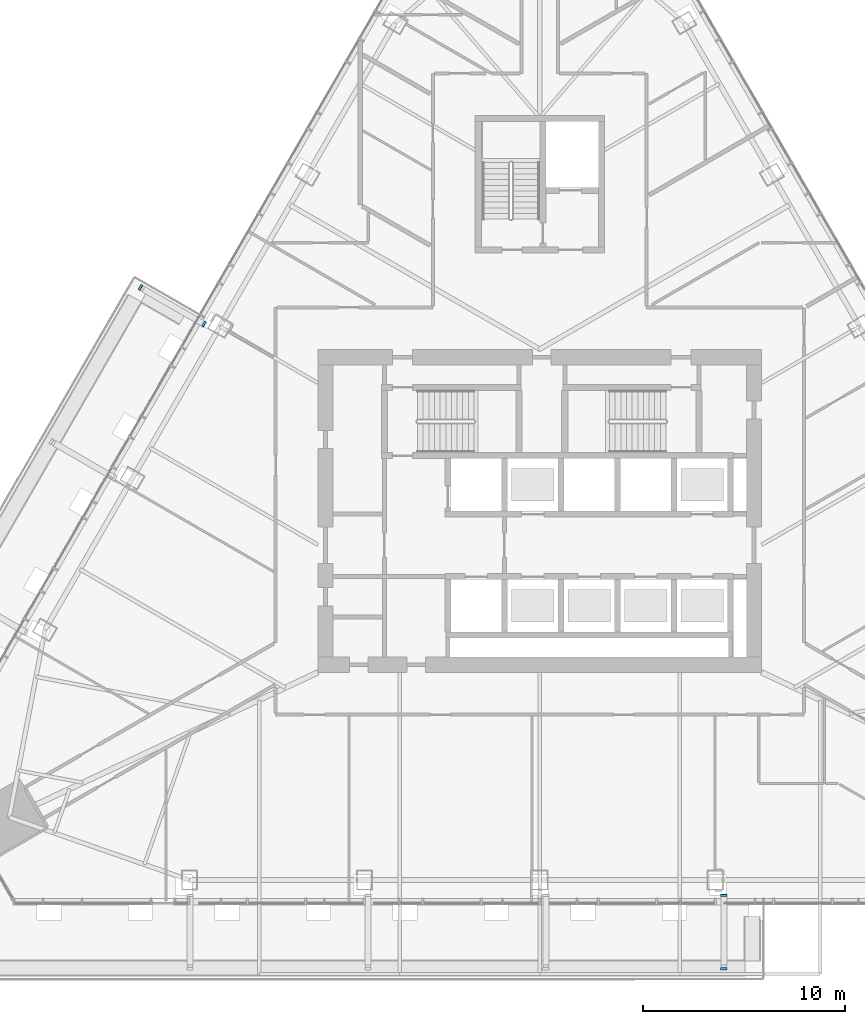
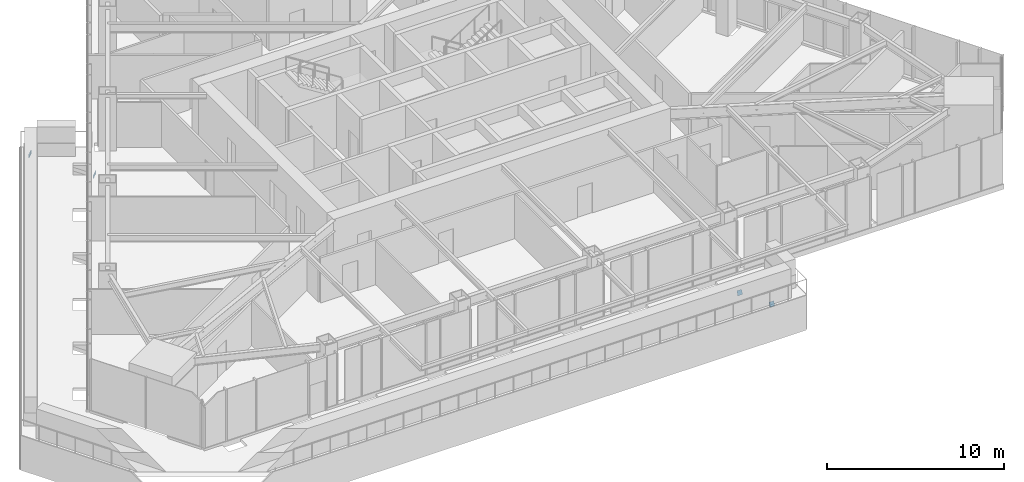
# One storey, part 20 of 23: 4 discrete accessories.
"""IFC4 building model written with IfcOpenShell, lengths in metres."""

from ifc_helpers import new_model, si_unit, direction, frame, origin, place, context, subcontext, project, spatial, polyline, outline, extrude, material, layer, layer_set, type_object, element, save


model = new_model("IFC4")

# Units and contexts
model_context = context("Model", 3, precision=1e-05, world=origin(), true_north=direction((0.0, 1.0)))
body_context = subcontext(model_context, "Body", "Model", "MODEL_VIEW")
ifc_project = project(units=[si_unit("LENGTHUNIT", "METRE"), si_unit("AREAUNIT", "SQUARE_METRE"), si_unit("VOLUMEUNIT", "CUBIC_METRE"), si_unit("PLANEANGLEUNIT", "RADIAN"), si_unit("MASSUNIT", "GRAM", prefix="KILO")], contexts=[model_context])

# Site, building, storey
site_placement = place(None, origin())
site = spatial("IfcSite", under=ifc_project, at=site_placement, CompositionType="ELEMENT")
building_placement = place(site_placement, origin())
building = spatial("IfcBuilding", under=site, at=building_placement, Name="Firuza Gate Tower and Library", CompositionType="ELEMENT")
storey_placement = place(building_placement, frame((0.0, 0.0, 190.89990234375)))
storey = spatial("IfcBuildingStorey", under=building, at=storey_placement, Name="L44", CompositionType="ELEMENT", Elevation=190.89990234375)

# Discrete accessories
ifc_material = material(Name="Steel S355", Category="steel")
ifc_layer = layer(ifc_material, 0.02001953125)
ifc_layer_set = layer_set([ifc_layer], Name="Strut seat plate 304x304x20 Steel S355")
discrete_accessory_type = type_object("IfcDiscreteAccessoryType", Name="Strut seat plate 304x304x20 Steel S355", PredefinedType="BRACKET", material=ifc_layer_set)
discrete_accessory_1_placement = place(storey_placement, frame((84.27587890625, 55.99853515625, -1.535400390625), z_axis=(0.0, -0.931869039224, 0.362794836976), x_axis=(-1.0, 0.0, 0.0)))
element("IfcDiscreteAccessory", 1, at=discrete_accessory_1_placement, inside=storey, type_object=discrete_accessory_type, Name="Strut seat plate L44 col:L43:S4", PredefinedType="BRACKET", context=body_context, shape_type="SweptSolid", body=[
    extrude(outline(polyline([(0.0, 0.0), (0.303955078125, 0.0), (0.303955078125, 0.30417070821576603), (0.0, 0.30417070821576603), (0.0, 0.0)])), origin(), (0.0, 0.0, -1.0), 0.02001953125),
])
discrete_accessory_2_placement = place(storey_placement, frame((83.971923828125, 52.361083984375, -0.12109375), z_axis=(0.0, -0.932034825678, 0.362368712397), x_axis=(1.0, 0.0, 0.0)))
element("IfcDiscreteAccessory", 2, at=discrete_accessory_2_placement, inside=storey, type_object=discrete_accessory_type, Name="Strut seat plate L44 col:L43:S4", PredefinedType="BRACKET", context=body_context, shape_type="SweptSolid", body=[
    extrude(outline(polyline([(0.0, 0.0), (0.303955078125, 0.0), (0.303955078125, -0.30385465993090327), (0.0, -0.30385465993090327), (0.0, 0.0)])), origin(), (0.0, 0.0, -1.0), 0.02001953125),
])
discrete_accessory_3_placement = place(storey_placement, frame((58.318115234375, 84.109375, -1.535400390625), z_axis=(-0.807065000242, 0.466204446129, 0.362352728421), x_axis=(0.500220173323, 0.865898246677, 6.7839443e-05)))
element("IfcDiscreteAccessory", 3, at=discrete_accessory_3_placement, inside=storey, type_object=discrete_accessory_type, Name="Strut seat plate L44 col:L43:W3", PredefinedType="BRACKET", context=body_context, shape_type="SweptSolid", body=[
    extrude(outline(polyline([(0.0, 0.0), (0.30397350534623263, 1.3877787807814457e-17), (0.3039803789758316, 0.30413670222250444), (-0.00020452730953123105, 0.30409243686716886), (0.0, 0.0)])), origin(), (0.0, 0.0, -1.0), 0.02001953125),
])
discrete_accessory_4_placement = place(storey_placement, frame((55.3203125, 86.191162109375, -0.12109375), z_axis=(-0.80682116952, 0.4662797668, 0.36279853843), x_axis=(-0.500371262739, -0.865810949009, 0.0)))
element("IfcDiscreteAccessory", 4, at=discrete_accessory_4_placement, inside=storey, type_object=discrete_accessory_type, Name="Strut seat plate L44 col:L43:W3", PredefinedType="BRACKET", context=body_context, shape_type="SweptSolid", body=[
    extrude(outline(polyline([(0.0, 0.0), (0.3039735106735333, 1.3877787807814457e-17), (0.3039666476986559, -0.3039091879116516), (-6.862974877363939e-06, -0.3039091879116516), (0.0, 0.0)])), origin(), (0.0, 0.0, -1.0), 0.02001953125),
])

save(model, "model.ifc")
